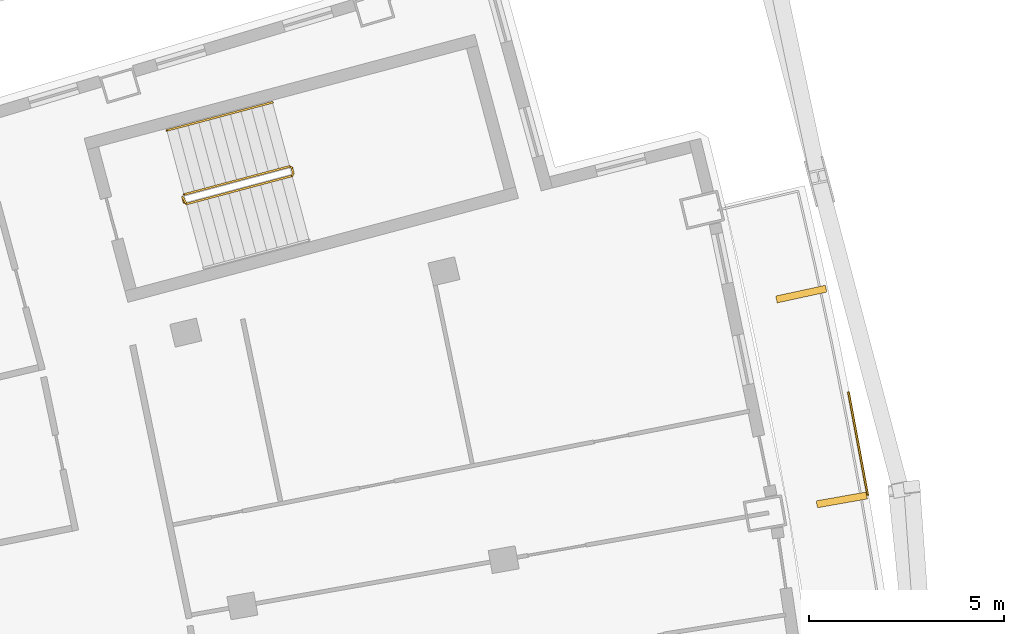
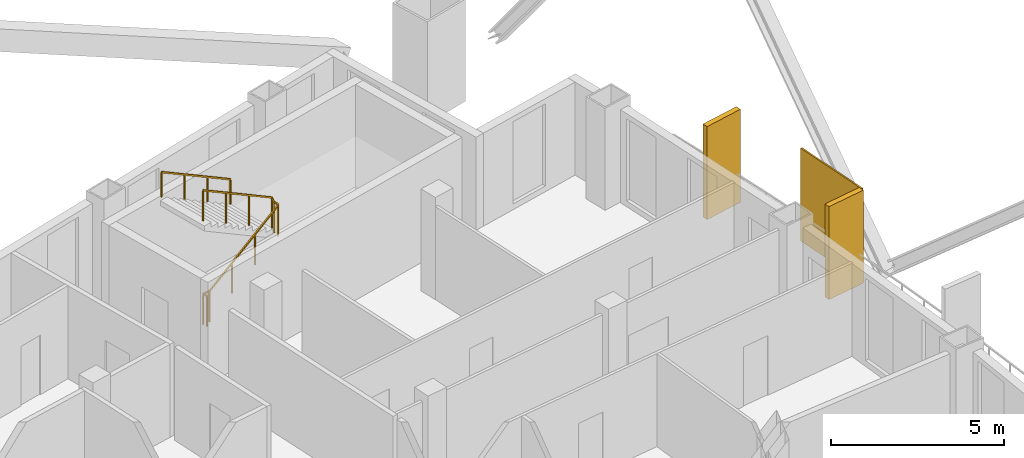
# One storey, part 21 of 21: 3 shading devices, 2 railings.
"""IFC4 building model written with IfcOpenShell, lengths in metres."""

from ifc_helpers import new_model, si_unit, direction, frame, origin, origin_2d, place, context, subcontext, project, spatial, rectangle, extrude, material, layer, layer_set, type_object, element, save


model = new_model("IFC4")

# Units and contexts
model_context = context("Model", 3, precision=1e-05, world=origin(), true_north=direction((0.0, 1.0)))
body_context = subcontext(model_context, "Body", "Model", "MODEL_VIEW")
ifc_project = project(units=[si_unit("LENGTHUNIT", "METRE"), si_unit("AREAUNIT", "SQUARE_METRE"), si_unit("VOLUMEUNIT", "CUBIC_METRE"), si_unit("PLANEANGLEUNIT", "RADIAN"), si_unit("MASSUNIT", "GRAM", prefix="KILO")], contexts=[model_context])

# Site, building, storey
site_placement = place(None, origin())
site = spatial("IfcSite", under=ifc_project, at=site_placement, CompositionType="ELEMENT")
building_placement = place(site_placement, origin())
building = spatial("IfcBuilding", under=site, at=building_placement, Name="Alderwake Tower", CompositionType="ELEMENT")
storey_placement = place(building_placement, frame((0.0, 0.0, 267.199951171875)))
storey = spatial("IfcBuildingStorey", under=building, at=storey_placement, Name="L66", CompositionType="ELEMENT", Elevation=267.199951171875)

# Shading devices
ifc_material_1 = material(Name="Bronze anodised aluminium", Category="aluminium")
ifc_layer_1 = layer(ifc_material_1, 0.179931640625)
ifc_layer_set_1 = layer_set([ifc_layer_1], Name="Facade fin 1300")
shading_device_type_1 = type_object("IfcShadingDeviceType", Name="Facade fin 1300", PredefinedType="USERDEFINED", material=ifc_layer_set_1)
for number, where, z_axis, x_axis, name in (
    (1, (56.089111328125, 85.061767578125, 0.0), (0.0, 0.0, 1.0), (0.984726421654, 0.174108800747, 0.0), "Fin"),
    (2, (55.050537109375, 90.336181640625, 0.0), (0.0, 0.0, 1.0), (0.977210363881, 0.212273184185, 0.0), "Fin"),
):
    element("IfcShadingDevice", number, at=place(storey_placement, frame(where, z_axis=z_axis, x_axis=x_axis)), inside=storey, type_object=shading_device_type_1, Name=name, ObjectType="FIN", PredefinedType="USERDEFINED", context=body_context, shape_type="SweptSolid", body=[
        extrude(rectangle(XDim=1.300048828125, YDim=0.179931640625, at=origin_2d()), origin(), (0.0, 0.0, 1.0), 3.280029296875),
    ])
ifc_material_2 = material(Name="Perforated bronze anodised aluminium", Category="aluminium")
ifc_layer_2 = layer(ifc_material_2, 0.050048828125)
ifc_layer_set_2 = layer_set([ifc_layer_2], Name="Perforated screen panel")
shading_device_type_2 = type_object("IfcShadingDeviceType", Name="Perforated screen panel", PredefinedType="USERDEFINED", material=ifc_layer_set_2)
shading_device_placement = place(storey_placement, frame((56.506591796875, 86.50341796875, 0.0), z_axis=(0.0, 0.0, 1.0), x_axis=(0.982991488043, 0.183651121519, 0.0)))
element("IfcShadingDevice", 3, at=shading_device_placement, inside=storey, type_object=shading_device_type_2, Name="Screen panel", ObjectType="SCREEN", PredefinedType="USERDEFINED", context=body_context, shape_type="SweptSolid", body=[
    extrude(rectangle(XDim=0.050048828125, YDim=2.694091796875, at=origin_2d()), origin(), (0.0, 0.0, 1.0), 3.280029296875),
])

# Railings
ifc_material_3 = material(Name="Stainless steel guard", Category="steel")
railing_type_1 = type_object("IfcRailingType", Name="Stair guard 1100", PredefinedType="GUARDRAIL", material=ifc_material_3)
railing_1_placement = place(storey_placement, frame((39.23291015625, 92.6806640625, 0.0)))
element("IfcRailing", 4, at=railing_1_placement, inside=storey, type_object=railing_type_1, Name="L66 ST-A stair guard 1", PredefinedType="GUARDRAIL", context=body_context, shape_type="SweptSolid", body=[
    extrude(rectangle(XDim=0.048095703125, YDim=0.048095703125, at=origin_2d()), frame((0.0, 0.0, 1.076171875), z_axis=(-0.257055032184, 0.966396766566, 0.0), x_axis=(-0.966396766566, -0.257055032184, 0.0)), (0.0, 0.0, 1.0), 0.150146484375),
    extrude(rectangle(XDim=0.048095703125, YDim=0.048095703125, at=origin_2d()), frame((-0.03857421875, 0.14501953125, 1.076171875), z_axis=(0.379370725808, -0.685464465458, 0.621463047167), x_axis=(0.874937996095, 0.484234966715, 0.0)), (0.0, 0.0, 1.0), 0.26318359375),
    extrude(rectangle(XDim=0.048095703125, YDim=0.048095703125, at=origin_2d()), frame((0.061279296875, -0.035400390625, 1.23974609375), z_axis=(0.834258940753, 0.22222815314, 0.504605457487), x_axis=(-0.257402139082, 0.966304371715, 0.0)), (0.0, 0.0, 1.0), 3.2431640625),
    extrude(rectangle(XDim=0.048095703125, YDim=0.048095703125, at=origin_2d()), frame((2.766845703125, 0.685302734375, 2.8759765625), z_axis=(0.500220121494, 0.865898279276, 0.0), x_axis=(-0.865898279276, 0.500220121494, 0.0)), (0.0, 0.0, 1.0), 0.07080078125),
    extrude(rectangle(XDim=0.048095703125, YDim=0.048095703125, at=origin_2d()), frame((2.80224609375, 0.74658203125, 2.8759765625), z_axis=(-0.257459803502, 0.966289009345, 0.0), x_axis=(-0.966289009345, -0.257459803502, 0.0)), (0.0, 0.0, 1.0), 0.14990234375),
    extrude(rectangle(XDim=0.048095703125, YDim=0.048095703125, at=origin_2d()), frame((2.763671875, 0.891357421875, 2.8759765625), z_axis=(-0.34252489212, 0.200034536998, 0.917966710881), x_axis=(-0.504300490226, -0.863528236688, 0.0)), (0.0, 0.0, 1.0), 0.17822265625),
    extrude(rectangle(XDim=0.048095703125, YDim=0.048095703125, at=origin_2d()), frame((2.70263671875, 0.927001953125, 3.03955078125), z_axis=(-0.834281824786, -0.222214197128, 0.504573768072), x_axis=(0.257380452725, -0.966310148221, 0.0)), (0.0, 0.0, 1.0), 3.2431640625),
    extrude(rectangle(XDim=0.0419921875, YDim=0.0419921875, at=origin_2d()), frame((0.0, 0.0, 0.0), z_axis=(0.0, 0.0, 1.0), x_axis=(-0.257055032184, 0.966396766566, 0.0)), (0.0, 0.0, 1.0), 1.052001953125),
    extrude(rectangle(XDim=0.0419921875, YDim=0.0419921875, at=origin_2d()), frame((-0.03857421875, 0.14501953125, 0.0), z_axis=(0.0, 0.0, 1.0), x_axis=(0.484234966715, -0.874937996095, 0.0)), (0.0, 0.0, 1.0), 1.052001953125),
    extrude(rectangle(XDim=0.0419921875, YDim=0.0419921875, at=origin_2d()), frame((0.061279296875, -0.035400390625, 0.16357421875), z_axis=(0.0, 0.0, 1.0), x_axis=(0.966304371715, 0.257402139082, 0.0)), (0.0, 0.0, 1.0), 1.052001953125),
    extrude(rectangle(XDim=0.0419921875, YDim=0.0419921875, at=origin_2d()), frame((0.963134765625, 0.204833984375, 0.708984375), z_axis=(0.0, 0.0, 1.0), x_axis=(0.966304371715, 0.257402139082, 0.0)), (0.0, 0.0, 1.0), 1.052001953125),
    extrude(rectangle(XDim=0.0419921875, YDim=0.0419921875, at=origin_2d()), frame((1.864990234375, 0.445068359375, 1.254638671875), z_axis=(0.0, 0.0, 1.0), x_axis=(0.966304371715, 0.257402139082, 0.0)), (0.0, 0.0, 1.0), 1.052001953125),
    extrude(rectangle(XDim=0.0419921875, YDim=0.0419921875, at=origin_2d()), frame((2.766845703125, 0.685302734375, 1.800048828125), z_axis=(0.0, 0.0, 1.0), x_axis=(0.500220121494, 0.865898279276, 0.0)), (0.0, 0.0, 1.0), 1.052001953125),
    extrude(rectangle(XDim=0.0419921875, YDim=0.0419921875, at=origin_2d()), frame((2.80224609375, 0.74658203125, 1.800048828125), z_axis=(0.0, 0.0, 1.0), x_axis=(-0.257459803502, 0.966289009345, 0.0)), (0.0, 0.0, 1.0), 1.052001953125),
    extrude(rectangle(XDim=0.0419921875, YDim=0.0419921875, at=origin_2d()), frame((2.763671875, 0.891357421875, 1.800048828125), z_axis=(0.0, 0.0, 1.0), x_axis=(-0.863528236688, 0.504300490226, 0.0)), (0.0, 0.0, 1.0), 1.052001953125),
    extrude(rectangle(XDim=0.0419921875, YDim=0.0419921875, at=origin_2d()), frame((2.70263671875, 0.927001953125, 1.963623046875), z_axis=(0.0, 0.0, 1.0), x_axis=(-0.966310148221, -0.257380452725, 0.0)), (0.0, 0.0, 1.0), 1.052001953125),
    extrude(rectangle(XDim=0.0419921875, YDim=0.0419921875, at=origin_2d()), frame((1.80078125, 0.686767578125, 2.509033203125), z_axis=(0.0, 0.0, 1.0), x_axis=(-0.966310148221, -0.257380452725, 0.0)), (0.0, 0.0, 1.0), 1.052001953125),
    extrude(rectangle(XDim=0.0419921875, YDim=0.0419921875, at=origin_2d()), frame((0.898681640625, 0.446533203125, 3.0546875), z_axis=(0.0, 0.0, 1.0), x_axis=(-0.966310148221, -0.257380452725, 0.0)), (0.0, 0.0, 1.0), 1.052001953125),
    extrude(rectangle(XDim=0.0419921875, YDim=0.0419921875, at=origin_2d()), frame((-0.003173828125, 0.206298828125, 3.60009765625), z_axis=(0.0, 0.0, 1.0), x_axis=(-0.966310148221, -0.257380452725, 0.0)), (0.0, 0.0, 1.0), 1.052001953125),
])
ifc_material_4 = material(Name="Stainless steel handrail", Category="steel")
railing_type_2 = type_object("IfcRailingType", Name="Stair handrail 900", PredefinedType="HANDRAIL", material=ifc_material_4)
railing_2_placement = place(storey_placement, frame((41.497802734375, 95.250244140625, 1.963623046875)))
element("IfcRailing", 5, at=railing_2_placement, inside=storey, type_object=railing_type_2, Name="L66 ST-A stair handrail 2", PredefinedType="HANDRAIL", context=body_context, shape_type="SweptSolid", body=[
    extrude(rectangle(XDim=0.048095703125, YDim=0.048095703125, at=origin_2d()), frame((0.0, 0.0, 0.8759765625), z_axis=(-0.834258940753, -0.22222815314, 0.504605457487), x_axis=(0.257402139082, -0.966304371715, 0.0)), (0.0, 0.0, 1.0), 3.2431640625),
    extrude(rectangle(XDim=0.0419921875, YDim=0.0419921875, at=origin_2d()), frame((0.0, 0.0, 0.0), z_axis=(0.0, 0.0, 1.0), x_axis=(-0.966304371715, -0.257402139082, 0.0)), (0.0, 0.0, 1.0), 0.851806640625),
    extrude(rectangle(XDim=0.0419921875, YDim=0.0419921875, at=origin_2d()), frame((-0.90185546875, -0.240234375, 0.54541015625), z_axis=(0.0, 0.0, 1.0), x_axis=(-0.966304371715, -0.257402139082, 0.0)), (0.0, 0.0, 1.0), 0.851806640625),
    extrude(rectangle(XDim=0.0419921875, YDim=0.0419921875, at=origin_2d()), frame((-1.8037109375, -0.48046875, 1.091064453125), z_axis=(0.0, 0.0, 1.0), x_axis=(-0.966304371715, -0.257402139082, 0.0)), (0.0, 0.0, 1.0), 0.851806640625),
    extrude(rectangle(XDim=0.0419921875, YDim=0.0419921875, at=origin_2d()), frame((-2.70556640625, -0.720703125, 1.636474609375), z_axis=(0.0, 0.0, 1.0), x_axis=(-0.966304371715, -0.257402139082, 0.0)), (0.0, 0.0, 1.0), 0.851806640625),
])

save(model, "model.ifc")
